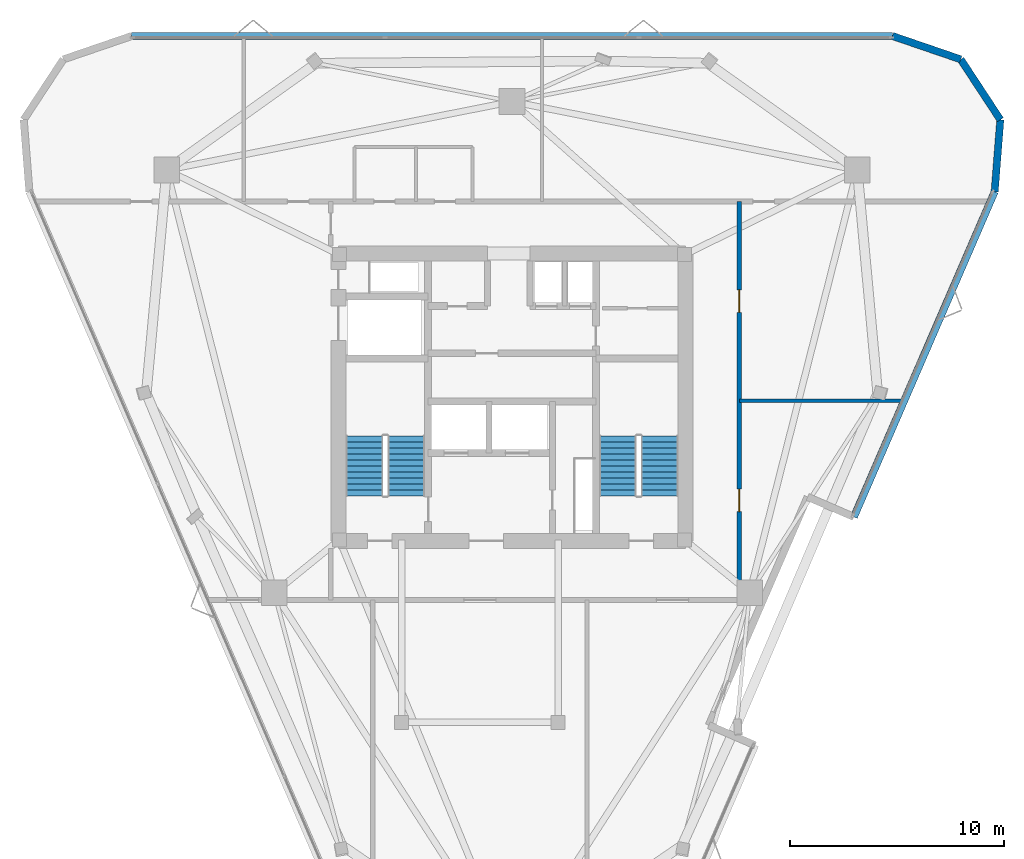
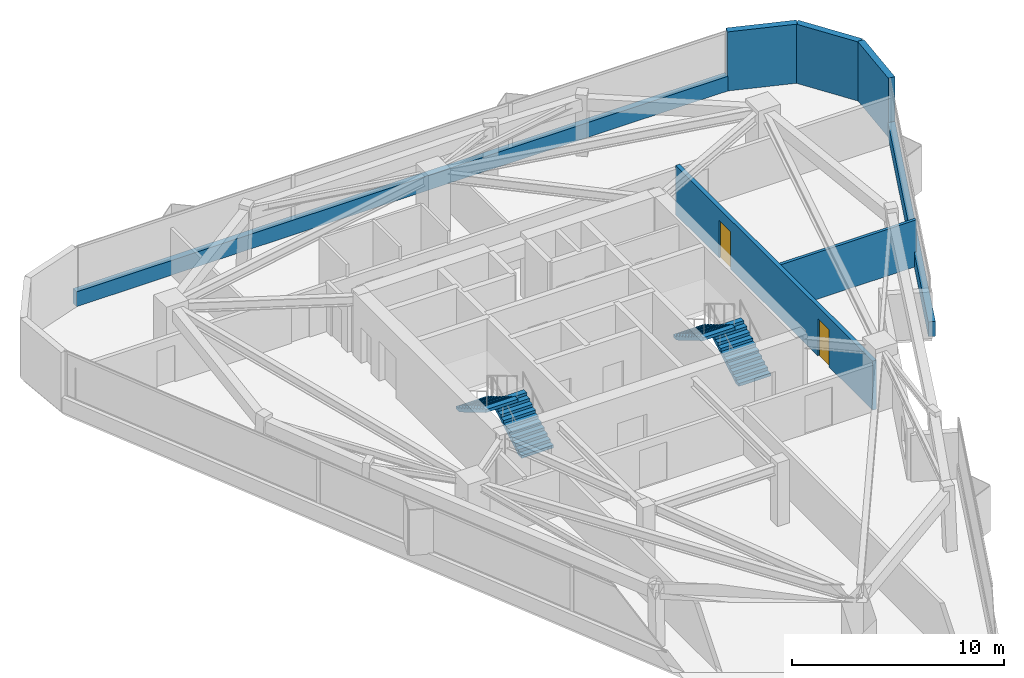
# One storey, part 9 of 10: 7 walls, 4 stair flights, 2 doors, 2 openings, 2 elements without a shape of their own.
"""IFC4 building model written with IfcOpenShell, lengths in metres."""

import ifcopenshell
import ifcopenshell.guid

model = None  # the IFC model being written
_history = None  # IfcOwnerHistory: only IFC2X3 demands one
_inside = {}  # id of a spatial element -> (the spatial element, [elements in it])
_under = {}  # id of a project, library or spatial element -> (it, [spatial elements below it])
_declared = {}  # id of a project -> (the project, [libraries it declares])
_typed = {}  # id of a type object -> (the type object, [elements of that type])
_made_of = {}  # id of a material, layer set ... -> (it, [elements and type objects made of it])


def new_model(schema):
    """Start an empty IFC model of exactly this schema.

    Asked for "IFC4X3", IfcOpenShell would pick the latest addendum, in which some entities
    have other attributes; the version numbers below select the first issue.
    IFC2X3 requires an IfcOwnerHistory on every rooted entity: one is made here for all.
    """
    global model, _history
    if schema == "IFC4X3":
        model = ifcopenshell.file(schema_version=(4, 3, 0, 0))
    else:
        model = ifcopenshell.file(schema=schema)
    _inside.clear()
    _under.clear()
    _declared.clear()
    _typed.clear()
    _made_of.clear()
    _history = None
    if model.schema == "IFC2X3":
        org = make("IfcOrganization", Name="unknown")
        user = make(
            "IfcPersonAndOrganization",
            ThePerson=make("IfcPerson", FamilyName="unknown"),
            TheOrganization=org,
        )
        app = make(
            "IfcApplication",
            ApplicationDeveloper=org,
            Version="unknown",
            ApplicationFullName="unknown",
            ApplicationIdentifier="unknown",
        )
        _history = make(
            "IfcOwnerHistory",
            OwningUser=user,
            OwningApplication=app,
            ChangeAction="ADDED",
            CreationDate=0,
        )
    return model


def make(cls, **values):
    """One entity of the class cls with the attributes given. An attribute that is None is left unset."""
    return model.create_entity(
        cls, **{name: value for name, value in values.items() if value is not None}
    )


def rooted(cls, **values):
    """An entity with a GlobalId (a new one), such as an element, a storey or a relation."""
    return make(cls, GlobalId=ifcopenshell.guid.new(), OwnerHistory=_history, **values)


def si_unit(unit_type, name, prefix=None):
    """IfcSIUnit, for example si_unit("LENGTHUNIT", "METRE", prefix="MILLI")."""
    return make("IfcSIUnit", UnitType=unit_type, Prefix=prefix, Name=name)


def assignment(units):
    """IfcUnitAssignment: the units of a project."""
    return None if units is None else make("IfcUnitAssignment", Units=units)


def point(xyz):
    """IfcCartesianPoint."""
    return None if xyz is None else make("IfcCartesianPoint", Coordinates=xyz)


def direction(xyz):
    """IfcDirection."""
    return None if xyz is None else make("IfcDirection", DirectionRatios=xyz)


def frame(location, z_axis=None, x_axis=None):
    """IfcAxis2Placement3D, a coordinate frame: its origin and axes. An axis left out is left unset."""
    return make(
        "IfcAxis2Placement3D",
        Location=point(location),
        Axis=direction(z_axis),
        RefDirection=direction(x_axis),
    )


def frame_2d(location, x_axis=None):
    """IfcAxis2Placement2D, a coordinate frame in the plane: its origin and x axis."""
    return make(
        "IfcAxis2Placement2D", Location=point(location), RefDirection=direction(x_axis)
    )


def origin():
    """The frame at (0, 0, 0) with its axes left unset."""
    return frame((0.0, 0.0, 0.0))


def place(relative_to, where):
    """IfcLocalPlacement: puts the frame where relative to a parent placement (None: the world)."""
    return make(
        "IfcLocalPlacement", PlacementRelTo=relative_to, RelativePlacement=where
    )


def context(
    kind, dimensions, precision=None, world=None, true_north=None, identifier=None
):
    """IfcGeometricRepresentationContext, for example the 3D "Model" context."""
    return make(
        "IfcGeometricRepresentationContext",
        ContextIdentifier=identifier,
        ContextType=kind,
        CoordinateSpaceDimension=dimensions,
        Precision=precision,
        WorldCoordinateSystem=world,
        TrueNorth=true_north,
    )


def subcontext(parent, identifier, kind, view, scale=None):
    """IfcGeometricRepresentationSubContext, for example "Body" below "Model"."""
    return make(
        "IfcGeometricRepresentationSubContext",
        ContextIdentifier=identifier,
        ContextType=kind,
        ParentContext=parent,
        TargetScale=scale,
        TargetView=view,
    )


def project(units=None, contexts=None):
    """IfcProject with its units and contexts."""
    return rooted(
        "IfcProject",
        Name="project",
        RepresentationContexts=contexts,
        UnitsInContext=assignment(units),
    )


def spatial(cls, under=None, at=None, **own):
    """A site, building, storey or space (cls), placed at a placement, below another one or the project."""
    s = rooted(cls, ObjectPlacement=at, **own)
    if under is not None:
        _under.setdefault(under.id(), (under, []))[1].append(s)
    return s


def polyline(points):
    """IfcPolyline through the points."""
    return make("IfcPolyline", Points=[point(p) for p in points])


def profile(cls, at=None, kind="AREA", **sizes):
    """A parametric profile (cls). Its sizes go by their IFC names, for example OverallWidth=200.0."""
    return make(cls, ProfileType=kind, Position=at, **sizes)


def rectangle(**sizes):
    """IfcRectangleProfileDef."""
    return profile("IfcRectangleProfileDef", **sizes)


def outline(outer, holes=None, kind="AREA"):
    """IfcArbitraryClosedProfileDef: a profile drawn as a closed curve; with holes, ...WithVoids."""
    if holes is None:
        return make("IfcArbitraryClosedProfileDef", ProfileType=kind, OuterCurve=outer)
    return make(
        "IfcArbitraryProfileDefWithVoids",
        ProfileType=kind,
        OuterCurve=outer,
        InnerCurves=holes,
    )


def extrude(swept, where, along, depth):
    """IfcExtrudedAreaSolid: the profile swept, set in the frame where, extruded along a direction by depth."""
    return make(
        "IfcExtrudedAreaSolid",
        SweptArea=swept,
        Position=where,
        ExtrudedDirection=direction(along),
        Depth=depth,
    )


def shape(context_of_items, identifier, shape_type, items):
    """IfcShapeRepresentation: the items that make up one representation, for example the "Body"."""
    return make(
        "IfcShapeRepresentation",
        ContextOfItems=context_of_items,
        RepresentationIdentifier=identifier,
        RepresentationType=shape_type,
        Items=items,
    )


def material(Name=None, Category=None):
    """IfcMaterial."""
    return make("IfcMaterial", Name=Name, Category=Category)


def layer(
    of_material, thickness, ventilated=None, Name=None, Category=None, Priority=None
):
    """IfcMaterialLayer: one layer of a wall or slab, of a material (None: an air gap)."""
    return make(
        "IfcMaterialLayer",
        Material=of_material,
        LayerThickness=thickness,
        IsVentilated=ventilated,
        Name=Name,
        Category=Category,
        Priority=Priority,
    )


def layer_set(layers, Name=None):
    """IfcMaterialLayerSet."""
    return make("IfcMaterialLayerSet", MaterialLayers=layers, LayerSetName=Name)


def made_of(thing, what):
    """Note that an element or type object is made of a material, layer set ...; save() writes the relation."""
    if what is not None:
        _made_of.setdefault(what.id(), (what, []))[1].append(thing)
    return thing


def type_object(cls, material=None, **own):
    """A type object (cls), such as IfcWallType, which elements share."""
    return made_of(rooted(cls, **own), material)


def element(
    cls,
    number,
    at=None,
    inside=None,
    cuts=None,
    type_object=None,
    material=None,
    context=None,
    identifier="Body",
    shape_type=None,
    held_by="IfcProductDefinitionShape",
    body=None,
    shapes=None,
    **own,
):
    """One element of the class cls, such as IfcWall. Its Tag is "e" and its number.

    at: its placement. inside: the storey or other place that contains it. cuts: it is an
    opening in that element (IfcRelVoidsElement). A single representation is given by context,
    identifier, shape_type and body (its items); several are given by shapes. held_by: the class
    of the entity that holds the representations. save() writes the other relations.
    """
    e = rooted(cls, Tag="e%d" % number, ObjectPlacement=at, **own)
    if body is not None:
        shapes = [shape(context, identifier, shape_type, body)]
    if shapes is not None:
        e.Representation = make(held_by, Representations=shapes)
    if inside is not None:
        _inside.setdefault(inside.id(), (inside, []))[1].append(e)
    if cuts is not None:
        rooted(
            "IfcRelVoidsElement", RelatingBuildingElement=cuts, RelatedOpeningElement=e
        )
    if type_object is not None:
        _typed.setdefault(type_object.id(), (type_object, []))[1].append(e)
    return made_of(e, material)


def fill(opening, filler):
    """IfcRelFillsElement: the door or window that sits in an opening."""
    return rooted(
        "IfcRelFillsElement",
        RelatingOpeningElement=opening,
        RelatedBuildingElement=filler,
    )


def aggregate(whole, parts):
    """IfcRelAggregates: a whole, such as a stair, and the parts it consists of."""
    return rooted("IfcRelAggregates", RelatingObject=whole, RelatedObjects=parts)


def save(model, path):
    """Write the relations noted so far, then the file.

    IfcRelAggregates (storeys below a building ...), IfcRelContainedInSpatialStructure (elements
    in a storey), IfcRelDefinesByType, IfcRelAssociatesMaterial and IfcRelDeclares: one each for
    every whole, place, type object, material and project.
    """
    for whole, parts in _under.values():
        aggregate(whole, parts)
    for where, things in _inside.values():
        rooted(
            "IfcRelContainedInSpatialStructure",
            RelatedElements=things,
            RelatingStructure=where,
        )
    for kind, things in _typed.values():
        rooted("IfcRelDefinesByType", RelatedObjects=things, RelatingType=kind)
    for what, things in _made_of.values():
        rooted("IfcRelAssociatesMaterial", RelatedObjects=things, RelatingMaterial=what)
    for by, libraries in _declared.values():
        rooted("IfcRelDeclares", RelatingContext=by, RelatedDefinitions=libraries)
    model.write(path)


model = new_model("IFC4")

# Units and contexts
model_context = context("Model", 3, precision=1e-05, world=origin(), true_north=direction((0.0, 1.0)))
body_context = subcontext(model_context, "Body", "Model", "MODEL_VIEW")
ifc_project = project(units=[si_unit("LENGTHUNIT", "METRE"), si_unit("AREAUNIT", "SQUARE_METRE"), si_unit("VOLUMEUNIT", "CUBIC_METRE"), si_unit("PLANEANGLEUNIT", "RADIAN"), si_unit("MASSUNIT", "GRAM", prefix="KILO")], contexts=[model_context])

# Site, building, storey
site_placement = place(None, origin())
site = spatial("IfcSite", under=ifc_project, at=site_placement, CompositionType="ELEMENT")
building_placement = place(site_placement, origin())
building = spatial("IfcBuilding", under=site, at=building_placement, Name="Talyreon Biosciences Tower", CompositionType="ELEMENT")
storey_placement = place(building_placement, frame((0.0, 0.0, 260.800048828125)))
storey = spatial("IfcBuildingStorey", under=building, at=storey_placement, Name="L69", CompositionType="ELEMENT", Elevation=260.800048828125)

# Wall, openings, doors
ifc_material_1 = material(Name="Gypsum fireboard acoustic stud", Category="gypsum")
ifc_layer_1 = layer(ifc_material_1, 0.219970703125)
ifc_layer_set_1 = layer_set([ifc_layer_1], Name="Gypsum fireboard acoustic stud")
wall_type_1 = type_object("IfcWallType", Name="CorridorRatedPartition_220", PredefinedType="PARTITIONING", material=ifc_layer_set_1)
wall_1_placement = place(storey_placement, frame((76.60009765625, 58.550048828125, 0.0), z_axis=(0.0, 0.0, 1.0), x_axis=(0.0, 1.0, 0.0)))
wall_1 = element("IfcWall", 1, at=wall_1_placement, inside=storey, type_object=wall_type_1, Name="L69 Interior Wall IW-L69-COR-E", PredefinedType="PARTITIONING", context=body_context, shape_type="SweptSolid", body=[
    extrude(rectangle(XDim=18.579833984375, YDim=0.219970703125, at=frame_2d((9.2900390625, 0.0))), origin(), (0.0, 0.0, 1.0), 2.829833984375),
])
opening_1_placement = place(wall_1_placement, frame((4.1201171875, 0.0, 0.0)))
opening_1 = element("IfcOpeningElement", 2, at=opening_1_placement, cuts=wall_1, Name="Opening DR-L69-E1A", PredefinedType="OPENING", context=body_context, shape_type="SweptSolid", body=[
    extrude(rectangle(XDim=1.050048828125, YDim=2.14990234375, at=frame_2d((0.52490234375, 1.074951171875))), frame((0.0, 0.119873046875, 0.0), z_axis=(0.0, -1.0, 0.0), x_axis=(1.0, 0.0, 0.0)), (0.0, 0.0, 1.0), 0.239990234375),
])
opening_2_placement = place(wall_1_placement, frame((13.409912109375, 0.0, 0.0)))
opening_2 = element("IfcOpeningElement", 3, at=opening_2_placement, cuts=wall_1, Name="Opening DR-L69-E2A", PredefinedType="OPENING", context=body_context, shape_type="SweptSolid", body=[
    extrude(rectangle(XDim=1.050048828125, YDim=2.14990234375, at=frame_2d((0.52490234375, 1.074951171875))), frame((0.0, 0.119873046875, 0.0), z_axis=(0.0, -1.0, 0.0), x_axis=(1.0, 0.0, 0.0)), (0.0, 0.0, 1.0), 0.239990234375),
])
ifc_material_2 = material(Name="Acoustic timber-core laboratory door", Category="wood")
door_type = type_object("IfcDoorType", Name="DryLabSingleDoor_1050x2150", OperationType="NOTDEFINED", PredefinedType="DOOR", material=ifc_material_2)
door_1_placement = place(opening_1_placement, origin())
door_1 = element("IfcDoor", 4, at=door_1_placement, inside=storey, type_object=door_type, Name="L69 Interior Door DR-L69-E1A", OperationType="SINGLE_SWING_RIGHT", OverallHeight=2.14990234375, OverallWidth=1.050048828125, PredefinedType="DOOR", context=body_context, shape_type="SweptSolid", body=[
    extrude(rectangle(XDim=1.050048828125, YDim=2.14990234375, at=frame_2d((0.52490234375, 1.074951171875))), frame((0.0, 0.02490234375, 0.0), z_axis=(0.0, -1.0, 0.0), x_axis=(1.0, 0.0, 0.0)), (0.0, 0.0, 1.0), 0.050048828125),
])
fill(opening_1, door_1)
door_2_placement = place(opening_2_placement, origin())
door_2 = element("IfcDoor", 5, at=door_2_placement, inside=storey, type_object=door_type, Name="L69 Interior Door DR-L69-E2A", OperationType="SINGLE_SWING_LEFT", OverallHeight=2.14990234375, OverallWidth=1.050048828125, PredefinedType="DOOR", context=body_context, shape_type="SweptSolid", body=[
    extrude(rectangle(XDim=1.050048828125, YDim=2.14990234375, at=frame_2d((0.52490234375, 1.074951171875))), frame((0.0, 0.02490234375, 0.0), z_axis=(0.0, -1.0, 0.0), x_axis=(1.0, 0.0, 0.0)), (0.0, 0.0, 1.0), 0.050048828125),
])
fill(opening_2, door_2)

# Walls
ifc_material_3 = material(Name="Gypsum acoustic stud partition", Category="gypsum")
ifc_layer_2 = layer(ifc_material_3, 0.159912109375)
ifc_layer_set_2 = layer_set([ifc_layer_2], Name="Gypsum acoustic stud partition")
wall_type_2 = type_object("IfcWallType", Name="LabSeparationPartition_160", PredefinedType="PARTITIONING", material=ifc_layer_set_2)
wall_2_placement = place(storey_placement, frame((76.60009765625, 67.840087890625, 0.0), z_axis=(0.0, 0.0, 1.0), x_axis=(1.0, 0.0, 0.0)))
element("IfcWall", 6, at=wall_2_placement, inside=storey, type_object=wall_type_2, Name="L69 Interior Wall IW-L69-EDIV1", PredefinedType="PARTITIONING", context=body_context, shape_type="SweptSolid", body=[
    extrude(rectangle(XDim=7.599853515625, YDim=0.159912109375, at=frame_2d((3.7998046875, 0.0))), origin(), (0.0, 0.0, 1.0), 2.679931640625),
])
ifc_material_4 = material(Name="Precast concrete C45/55", Category="concrete")
ifc_layer_3 = layer(ifc_material_4, 0.340087890625)
ifc_layer_set_3 = layer_set([ifc_layer_3], Name="Precast concrete C45/55")
wall_type_3 = type_object("IfcWallType", Name="PrecastConcreteSpandrelWall_340", PredefinedType="STANDARD", material=ifc_layer_set_3)
wall_3_placement = place(storey_placement, frame((48.261474609375, 84.85107421875, 0.0), z_axis=(0.0, 0.0, 1.0), x_axis=(1.0, 0.0, 0.0)))
element("IfcWall", 7, at=wall_3_placement, inside=storey, type_object=wall_type_3, Name="L69 Expressed Concrete Sill Wall 03", PredefinedType="STANDARD", context=body_context, shape_type="SweptSolid", body=[
    extrude(rectangle(XDim=35.47705078125, YDim=0.340087890625, at=frame_2d((17.738525390625, 0.0))), origin(), (0.0, 0.0, 1.0), 0.849853515625),
])
for number, where, z_axis, x_axis, name in (
    (8, (83.738525390625, 84.85107421875, 0.0), (0.0, 0.0, 1.0), (0.946079263446, -0.323935220805, 0.0), "L69 Rounded-Corner Concrete Pier 04"),
    (9, (86.92578125, 83.759765625, 0.0), (0.0, 0.0, 1.0), (0.548950833431, -0.835854641953, 0.0), "L69 Rounded-Corner Concrete Pier 05"),
    (10, (88.775146484375, 80.94384765625, 0.0), (0.0, 0.0, 1.0), (-0.078558440607, -0.996909510141, 0.0), "L69 Rounded-Corner Concrete Pier 06"),
):
    element("IfcWall", number, at=place(storey_placement, frame(where, z_axis=z_axis, x_axis=x_axis)), inside=storey, type_object=wall_type_3, Name=name, PredefinedType="STANDARD", context=body_context, shape_type="SweptSolid", body=[
        extrude(rectangle(XDim=3.368896484375, YDim=0.340087890625, at=frame_2d((1.6845703125, 0.0))), origin(), (0.0, 0.0, 1.0), 3.39990234375),
    ])
wall_4_placement = place(storey_placement, frame((88.510498046875, 77.58544921875, 0.0), z_axis=(0.0, 0.0, 1.0), x_axis=(-0.397209451252, -0.917727983575, 0.0)))
element("IfcWall", 11, at=wall_4_placement, inside=storey, type_object=wall_type_3, Name="L69 Expressed Concrete Sill Wall 07", PredefinedType="STANDARD", context=body_context, shape_type="SweptSolid", body=[
    extrude(rectangle(XDim=16.5283203125, YDim=0.340087890625, at=frame_2d((8.26416015625, 0.0))), origin(), (0.0, 0.0, 1.0), 0.849853515625),
])

# Stair, stair flights
ifc_material_5 = material(Name="Concrete C40/50", Category="concrete")
stair_type = type_object("IfcStairType", Name="DoglegEscapeStair_3650", PredefinedType="HALF_TURN_STAIR", material=ifc_material_5)
stair_1_placement = place(storey_placement, origin())
stair_1 = element("IfcStair", 12, at=stair_1_placement, inside=storey, type_object=stair_type, Name="L69 Core Escape Stair 1", PredefinedType="HALF_TURN_STAIR")
stair_flight_type = type_object("IfcStairFlightType", Name="PrecastStairFlight_3650", PredefinedType="STRAIGHT", material=ifc_material_5)
stair_flight_1_placement = place(storey_placement, frame((61.06005859375, 63.39990234375, 0.0), z_axis=(0.0, 0.0, 1.0), x_axis=(0.0, 1.0, 0.0)))
stair_flight_1 = element("IfcStairFlight", 13, at=stair_flight_1_placement, type_object=stair_flight_type, Name="ST-1 flight 1", NumberOfRisers=11, NumberOfTreads=10, PredefinedType="STRAIGHT", RiserHeight=0.165909091, TreadLength=0.28, context=body_context, shape_type="SweptSolid", body=[
    extrude(outline(polyline([(0.0, 0.0), (0.0, 0.166015625), (0.280029296875, 0.166015625), (0.280029296875, 0.331787109375), (0.56005859375, 0.331787109375), (0.56005859375, 0.497802734375), (0.840087890625, 0.497802734375), (0.840087890625, 0.66357421875), (1.1201171875, 0.66357421875), (1.1201171875, 0.82958984375), (1.39990234375, 0.82958984375), (1.39990234375, 0.995361328125), (1.679931640625, 0.995361328125), (1.679931640625, 1.161376953125), (1.9599609375, 1.161376953125), (1.9599609375, 1.327392578125), (2.239990234375, 1.327392578125), (2.239990234375, 1.4931640625), (2.52001953125, 1.4931640625), (2.52001953125, 1.6591796875), (2.800048828125, 1.6591796875), (2.800048828125, 1.824951171875), (2.800048828125, 1.48486328125), (0.2939453125, 0.0), (0.0, 0.0)])), frame((0.0, 0.8701171875, 0.0), z_axis=(0.0, -1.0, 0.0), x_axis=(1.0, 0.0, 0.0)), (0.0, 0.0, 1.0), 1.739990234375),
])
stair_flight_2_placement = place(storey_placement, frame((59.1201171875, 66.199951171875, 1.824951171875), z_axis=(0.0, 0.0, 1.0), x_axis=(0.0, -1.0, 0.0)))
stair_flight_2 = element("IfcStairFlight", 14, at=stair_flight_2_placement, type_object=stair_flight_type, Name="ST-1 flight 2", NumberOfRisers=11, NumberOfTreads=10, PredefinedType="STRAIGHT", RiserHeight=0.165909091, TreadLength=0.28, context=body_context, shape_type="SweptSolid", body=[
    extrude(outline(polyline([(0.0, 0.0), (0.0, 0.166015625), (0.280029296875, 0.166015625), (0.280029296875, 0.331787109375), (0.56005859375, 0.331787109375), (0.56005859375, 0.497802734375), (0.840087890625, 0.497802734375), (0.840087890625, 0.66357421875), (1.1201171875, 0.66357421875), (1.1201171875, 0.82958984375), (1.39990234375, 0.82958984375), (1.39990234375, 0.995361328125), (1.679931640625, 0.995361328125), (1.679931640625, 1.161376953125), (1.9599609375, 1.161376953125), (1.9599609375, 1.327392578125), (2.239990234375, 1.327392578125), (2.239990234375, 1.4931640625), (2.52001953125, 1.4931640625), (2.52001953125, 1.6591796875), (2.800048828125, 1.6591796875), (2.800048828125, 1.824951171875), (2.800048828125, 1.48486328125), (0.2939453125, 0.0), (0.0, 0.0)])), frame((0.0, 0.8701171875, 0.0), z_axis=(0.0, -1.0, 0.0), x_axis=(1.0, 0.0, 0.0)), (0.0, 0.0, 1.0), 1.739990234375),
])
aggregate(stair_1, [stair_flight_1, stair_flight_2])

stair_2_placement = place(storey_placement, origin())
stair_2 = element("IfcStair", 15, at=stair_2_placement, inside=storey, type_object=stair_type, Name="L69 Core Escape Stair 2", PredefinedType="HALF_TURN_STAIR")
stair_flight_3_placement = place(storey_placement, frame((72.8798828125, 63.39990234375, 0.0), z_axis=(0.0, 0.0, 1.0), x_axis=(0.0, 1.0, 0.0)))
stair_flight_3 = element("IfcStairFlight", 16, at=stair_flight_3_placement, type_object=stair_flight_type, Name="ST-2 flight 1", NumberOfRisers=11, NumberOfTreads=10, PredefinedType="STRAIGHT", RiserHeight=0.165909091, TreadLength=0.28, context=body_context, shape_type="SweptSolid", body=[
    extrude(outline(polyline([(0.0, 0.0), (0.0, 0.166015625), (0.280029296875, 0.166015625), (0.280029296875, 0.331787109375), (0.56005859375, 0.331787109375), (0.56005859375, 0.497802734375), (0.840087890625, 0.497802734375), (0.840087890625, 0.66357421875), (1.1201171875, 0.66357421875), (1.1201171875, 0.82958984375), (1.39990234375, 0.82958984375), (1.39990234375, 0.995361328125), (1.679931640625, 0.995361328125), (1.679931640625, 1.161376953125), (1.9599609375, 1.161376953125), (1.9599609375, 1.327392578125), (2.239990234375, 1.327392578125), (2.239990234375, 1.4931640625), (2.52001953125, 1.4931640625), (2.52001953125, 1.6591796875), (2.800048828125, 1.6591796875), (2.800048828125, 1.824951171875), (2.800048828125, 1.48486328125), (0.2939453125, 0.0), (0.0, 0.0)])), frame((0.0, 0.8701171875, 0.0), z_axis=(0.0, -1.0, 0.0), x_axis=(1.0, 0.0, 0.0)), (0.0, 0.0, 1.0), 1.739990234375),
])
stair_flight_4_placement = place(storey_placement, frame((70.93994140625, 66.199951171875, 1.824951171875), z_axis=(0.0, 0.0, 1.0), x_axis=(0.0, -1.0, 0.0)))
stair_flight_4 = element("IfcStairFlight", 17, at=stair_flight_4_placement, type_object=stair_flight_type, Name="ST-2 flight 2", NumberOfRisers=11, NumberOfTreads=10, PredefinedType="STRAIGHT", RiserHeight=0.165909091, TreadLength=0.28, context=body_context, shape_type="SweptSolid", body=[
    extrude(outline(polyline([(0.0, 0.0), (0.0, 0.166015625), (0.280029296875, 0.166015625), (0.280029296875, 0.331787109375), (0.56005859375, 0.331787109375), (0.56005859375, 0.497802734375), (0.840087890625, 0.497802734375), (0.840087890625, 0.66357421875), (1.1201171875, 0.66357421875), (1.1201171875, 0.82958984375), (1.39990234375, 0.82958984375), (1.39990234375, 0.995361328125), (1.679931640625, 0.995361328125), (1.679931640625, 1.161376953125), (1.9599609375, 1.161376953125), (1.9599609375, 1.327392578125), (2.239990234375, 1.327392578125), (2.239990234375, 1.4931640625), (2.52001953125, 1.4931640625), (2.52001953125, 1.6591796875), (2.800048828125, 1.6591796875), (2.800048828125, 1.824951171875), (2.800048828125, 1.48486328125), (0.2939453125, 0.0), (0.0, 0.0)])), frame((0.0, 0.8701171875, 0.0), z_axis=(0.0, -1.0, 0.0), x_axis=(1.0, 0.0, 0.0)), (0.0, 0.0, 1.0), 1.739990234375),
])
aggregate(stair_2, [stair_flight_3, stair_flight_4])

save(model, "model.ifc")
